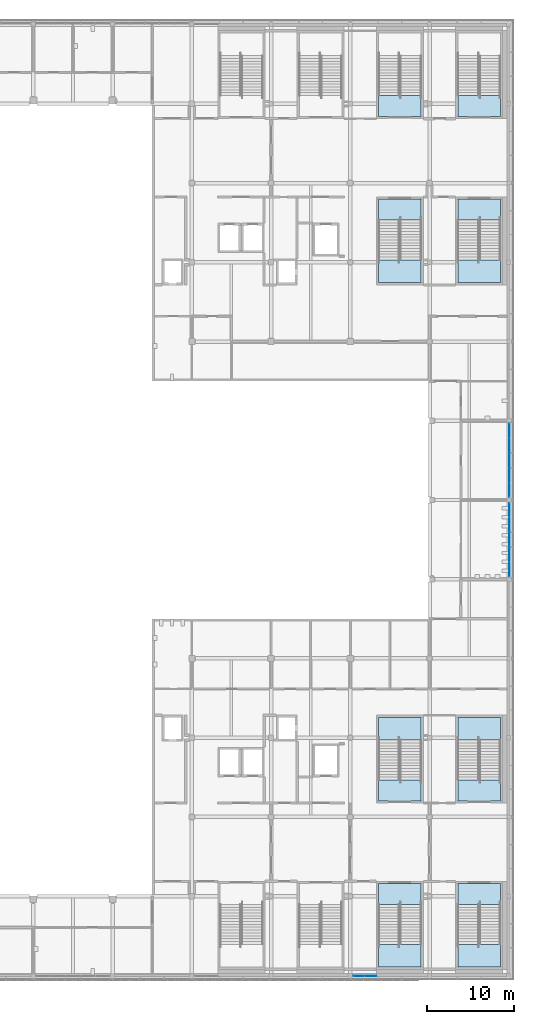
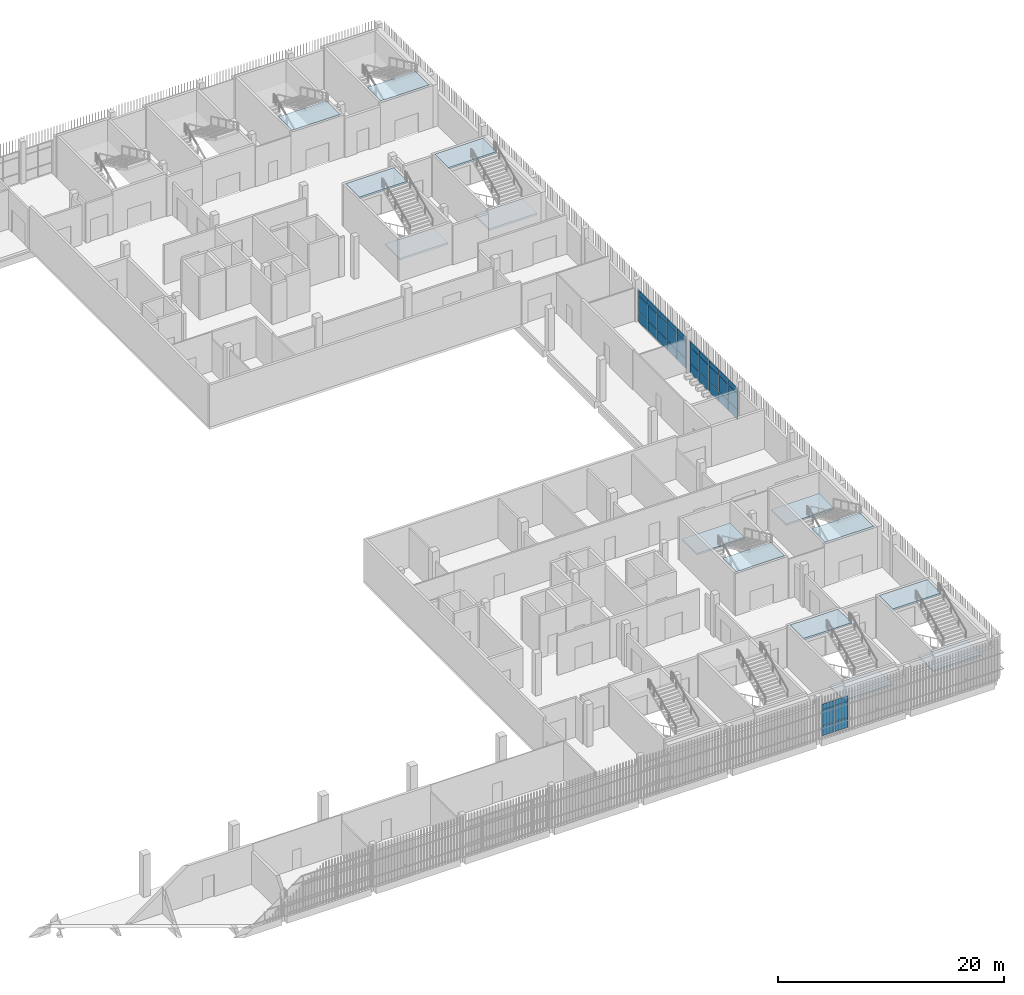
# One storey, part 64 of 124: 36 plates, 14 slabs, 11 elements without a shape of their own.
"""IFC4 building model written with IfcOpenShell, lengths in metres."""

from ifc_helpers import new_model, si_unit, direction, frame, origin, origin_2d, place, context, subcontext, project, spatial, polyline, rectangle, outline, extrude, material, layer, layer_set, type_object, element, aggregate, save


model = new_model("IFC4")

# Units and contexts
model_context = context("Model", 3, precision=1e-05, world=origin(), true_north=direction((0.0, 1.0)))
body_context = subcontext(model_context, "Body", "Model", "MODEL_VIEW")
ifc_project = project(units=[si_unit("LENGTHUNIT", "METRE"), si_unit("AREAUNIT", "SQUARE_METRE"), si_unit("VOLUMEUNIT", "CUBIC_METRE"), si_unit("PLANEANGLEUNIT", "RADIAN"), si_unit("MASSUNIT", "GRAM", prefix="KILO")], contexts=[model_context])

# Site, building, storey
site_placement = place(None, origin())
site = spatial("IfcSite", under=ifc_project, at=site_placement, CompositionType="ELEMENT")
building_placement = place(site_placement, origin())
building = spatial("IfcBuilding", under=site, at=building_placement, Name="Shirokan Park Arena", CompositionType="ELEMENT")
storey_placement = place(building_placement, frame((0.0, 0.0, 20.02001953125)))
storey = spatial("IfcBuildingStorey", under=building, at=storey_placement, Name="L04", CompositionType="ELEMENT", Elevation=20.02001953125)

# Curtain wall, plates
ifc_material_1 = material(Name="Steel and glass curtain wall", Category="steel")
ifc_layer_1 = layer(ifc_material_1, 0.1201171875)
ifc_layer_set_1 = layer_set([ifc_layer_1], Name="Steel and glass curtain wall 120 mm")
curtain_wall_type_1 = type_object("IfcCurtainWallType", Name="Curtain wall corner block side bay 120", PredefinedType="NOTDEFINED", material=ifc_layer_set_1)
curtain_wall_1_placement = place(storey_placement, origin())
curtain_wall_1 = element("IfcCurtainWall", 1, at=curtain_wall_1_placement, inside=storey, type_object=curtain_wall_type_1, Name="Curtain wall south bay 15 L04", PredefinedType="NOTDEFINED")
ifc_material_2 = material(Name="Aluminium sheet", Category="aluminium")
ifc_layer_2 = layer(ifc_material_2, 0.0029296875, Name="Aluminium sheet")
ifc_material_3 = material(Name="Mineral wool insulation")
ifc_layer_3 = layer(ifc_material_3, 0.053955078125, Name="Mineral wool insulation")
ifc_layer_4 = layer(ifc_material_2, 0.0029296875, Name="Aluminium sheet")
ifc_layer_set_2 = layer_set([ifc_layer_2, ifc_layer_3, ifc_layer_4], Name="Aluminium sheet + Mineral wool insulation")
plate_type_1 = type_object("IfcPlateType", Name="Insulated spandrel panel 60", PredefinedType="CURTAIN_PANEL", material=ifc_layer_set_2)
plate_1_placement = place(storey_placement, frame((128.375, -0.090087890625, 2.8701171875), z_axis=(0.0, 0.0, 1.0), x_axis=(1.0, 0.0, 0.0)))
plate_1 = element("IfcPlate", 2, at=plate_1_placement, type_object=plate_type_1, Name="CW3 panel 1.3", PredefinedType="CURTAIN_PANEL", context=body_context, shape_type="SweptSolid", body=[
    extrude(rectangle(XDim=1.25, YDim=0.06005859375, at=origin_2d()), origin(), (0.0, 0.0, 1.0), 0.590087890625),
])
plate_2_placement = place(storey_placement, frame((129.72509765625, -0.090087890625, 2.8701171875), z_axis=(0.0, 0.0, 1.0), x_axis=(1.0, 0.0, 0.0)))
plate_2 = element("IfcPlate", 3, at=plate_2_placement, type_object=plate_type_1, Name="CW3 panel 2.3", PredefinedType="CURTAIN_PANEL", context=body_context, shape_type="SweptSolid", body=[
    extrude(rectangle(XDim=1.35009765625, YDim=0.06005859375, at=origin_2d()), origin(), (0.0, 0.0, 1.0), 0.590087890625),
])

ifc_layer_5 = layer(ifc_material_1, 0.14990234375)
ifc_layer_set_3 = layer_set([ifc_layer_5], Name="Steel and glass curtain wall 150 mm")
curtain_wall_type_2 = type_object("IfcCurtainWallType", Name="Curtain wall exposed bay 150", PredefinedType="NOTDEFINED", material=ifc_layer_set_3)
curtain_wall_2_placement = place(storey_placement, origin())
curtain_wall_2 = element("IfcCurtainWall", 4, at=curtain_wall_2_placement, inside=storey, type_object=curtain_wall_type_2, Name="Curtain wall east bay 6 L04", PredefinedType="NOTDEFINED")
plate_3_placement = place(storey_placement, frame((145.675048828125, 46.6474609375, 2.8701171875), z_axis=(0.0, 0.0, 1.0), x_axis=(0.0, 1.0, 0.0)))
plate_3 = element("IfcPlate", 5, at=plate_3_placement, type_object=plate_type_1, Name="CW1 panel 1.3", PredefinedType="CURTAIN_PANEL", context=body_context, shape_type="SweptSolid", body=[
    extrude(rectangle(XDim=1.594970703125, YDim=0.06005859375, at=origin_2d()), origin(), (0.0, 0.0, 1.0), 0.590087890625),
])
plate_4_placement = place(storey_placement, frame((145.675048828125, 48.330078125, 2.8701171875), z_axis=(0.0, 0.0, 1.0), x_axis=(0.0, 1.0, 0.0)))
plate_4 = element("IfcPlate", 6, at=plate_4_placement, type_object=plate_type_1, Name="CW1 panel 2.3", PredefinedType="CURTAIN_PANEL", context=body_context, shape_type="SweptSolid", body=[
    extrude(rectangle(XDim=1.669921875, YDim=0.06005859375, at=origin_2d()), origin(), (0.0, 0.0, 1.0), 0.590087890625),
])
plate_5_placement = place(storey_placement, frame((145.675048828125, 50.050048828125, 2.8701171875), z_axis=(0.0, 0.0, 1.0), x_axis=(0.0, 1.0, 0.0)))
plate_5 = element("IfcPlate", 7, at=plate_5_placement, type_object=plate_type_1, Name="CW1 panel 3.3", PredefinedType="CURTAIN_PANEL", context=body_context, shape_type="SweptSolid", body=[
    extrude(rectangle(XDim=1.669921875, YDim=0.06005859375, at=origin_2d()), origin(), (0.0, 0.0, 1.0), 0.590087890625),
])
plate_6_placement = place(storey_placement, frame((145.675048828125, 51.77001953125, 2.8701171875), z_axis=(0.0, 0.0, 1.0), x_axis=(0.0, 1.0, 0.0)))
plate_6 = element("IfcPlate", 8, at=plate_6_placement, type_object=plate_type_1, Name="CW1 panel 4.3", PredefinedType="CURTAIN_PANEL", context=body_context, shape_type="SweptSolid", body=[
    extrude(rectangle(XDim=1.669921875, YDim=0.06005859375, at=origin_2d()), origin(), (0.0, 0.0, 1.0), 0.590087890625),
])
plate_7_placement = place(storey_placement, frame((145.675048828125, 53.452392578125, 2.8701171875), z_axis=(0.0, 0.0, 1.0), x_axis=(0.0, 1.0, 0.0)))
plate_7 = element("IfcPlate", 9, at=plate_7_placement, type_object=plate_type_1, Name="CW1 panel 5.3", PredefinedType="CURTAIN_PANEL", context=body_context, shape_type="SweptSolid", body=[
    extrude(rectangle(XDim=1.594970703125, YDim=0.06005859375, at=origin_2d()), origin(), (0.0, 0.0, 1.0), 0.590087890625),
])

curtain_wall_3_placement = place(storey_placement, origin())
curtain_wall_3 = element("IfcCurtainWall", 10, at=curtain_wall_3_placement, inside=storey, type_object=curtain_wall_type_2, Name="Curtain wall east bay 7 L04", PredefinedType="NOTDEFINED")
plate_8_placement = place(storey_placement, frame((145.675048828125, 55.74755859375, 2.8701171875), z_axis=(0.0, 0.0, 1.0), x_axis=(0.0, 1.0, 0.0)))
plate_8 = element("IfcPlate", 11, at=plate_8_placement, type_object=plate_type_1, Name="CW1 panel 1.3", PredefinedType="CURTAIN_PANEL", context=body_context, shape_type="SweptSolid", body=[
    extrude(rectangle(XDim=1.594970703125, YDim=0.06005859375, at=origin_2d()), origin(), (0.0, 0.0, 1.0), 0.590087890625),
])
plate_9_placement = place(storey_placement, frame((145.675048828125, 57.429931640625, 2.8701171875), z_axis=(0.0, 0.0, 1.0), x_axis=(0.0, 1.0, 0.0)))
plate_9 = element("IfcPlate", 12, at=plate_9_placement, type_object=plate_type_1, Name="CW1 panel 2.3", PredefinedType="CURTAIN_PANEL", context=body_context, shape_type="SweptSolid", body=[
    extrude(rectangle(XDim=1.669921875, YDim=0.06005859375, at=origin_2d()), origin(), (0.0, 0.0, 1.0), 0.590087890625),
])
plate_10_placement = place(storey_placement, frame((145.675048828125, 59.14990234375, 2.8701171875), z_axis=(0.0, 0.0, 1.0), x_axis=(0.0, 1.0, 0.0)))
plate_10 = element("IfcPlate", 13, at=plate_10_placement, type_object=plate_type_1, Name="CW1 panel 3.3", PredefinedType="CURTAIN_PANEL", context=body_context, shape_type="SweptSolid", body=[
    extrude(rectangle(XDim=1.669921875, YDim=0.06005859375, at=origin_2d()), origin(), (0.0, 0.0, 1.0), 0.590087890625),
])
plate_11_placement = place(storey_placement, frame((145.675048828125, 60.8701171875, 2.8701171875), z_axis=(0.0, 0.0, 1.0), x_axis=(0.0, 1.0, 0.0)))
plate_11 = element("IfcPlate", 14, at=plate_11_placement, type_object=plate_type_1, Name="CW1 panel 4.3", PredefinedType="CURTAIN_PANEL", context=body_context, shape_type="SweptSolid", body=[
    extrude(rectangle(XDim=1.669921875, YDim=0.06005859375, at=origin_2d()), origin(), (0.0, 0.0, 1.0), 0.590087890625),
])
plate_12_placement = place(storey_placement, frame((145.675048828125, 62.552490234375, 2.8701171875), z_axis=(0.0, 0.0, 1.0), x_axis=(0.0, 1.0, 0.0)))
plate_12 = element("IfcPlate", 15, at=plate_12_placement, type_object=plate_type_1, Name="CW1 panel 5.3", PredefinedType="CURTAIN_PANEL", context=body_context, shape_type="SweptSolid", body=[
    extrude(rectangle(XDim=1.594970703125, YDim=0.06005859375, at=origin_2d()), origin(), (0.0, 0.0, 1.0), 0.590087890625),
])

# Plate
ifc_material_4 = material(Name="Toughened glass", Category="glass")
ifc_layer_6 = layer(ifc_material_4, 0.012939453125, Name="Toughened glass")
ifc_material_5 = material(Name="Interlayer film")
ifc_layer_7 = layer(ifc_material_5, 0.001953125, Name="Interlayer film")
ifc_layer_8 = layer(ifc_material_4, 0.012939453125, Name="Toughened glass")
ifc_layer_set_4 = layer_set([ifc_layer_6, ifc_layer_7, ifc_layer_8], Name="Toughened glass + Interlayer film")
plate_type_2 = type_object("IfcPlateType", Name="Laminated glass panel 28", PredefinedType="CURTAIN_PANEL", material=ifc_layer_set_4)
plate_13_placement = place(storey_placement, frame((128.375, -0.090087890625, 1.1201171875), z_axis=(0.0, 0.0, 1.0), x_axis=(1.0, 0.0, 0.0)))
plate_13 = element("IfcPlate", 16, at=plate_13_placement, type_object=plate_type_2, Name="CW3 panel 1.2", PredefinedType="CURTAIN_PANEL", context=body_context, shape_type="SweptSolid", body=[
    extrude(rectangle(XDim=1.25, YDim=0.028076171875, at=origin_2d()), origin(), (0.0, 0.0, 1.0), 1.7099609375),
])

plate_14_placement = place(storey_placement, frame((129.72509765625, -0.090087890625, 1.1201171875), z_axis=(0.0, 0.0, 1.0), x_axis=(1.0, 0.0, 0.0)))
plate_14 = element("IfcPlate", 17, at=plate_14_placement, type_object=plate_type_2, Name="CW3 panel 2.2", PredefinedType="CURTAIN_PANEL", context=body_context, shape_type="SweptSolid", body=[
    extrude(rectangle(XDim=1.35009765625, YDim=0.028076171875, at=origin_2d()), origin(), (0.0, 0.0, 1.0), 1.7099609375),
])

plate_15_placement = place(storey_placement, frame((145.675048828125, 46.6474609375, 1.1201171875), z_axis=(0.0, 0.0, 1.0), x_axis=(0.0, 1.0, 0.0)))
plate_15 = element("IfcPlate", 18, at=plate_15_placement, type_object=plate_type_2, Name="CW1 panel 1.2", PredefinedType="CURTAIN_PANEL", context=body_context, shape_type="SweptSolid", body=[
    extrude(rectangle(XDim=1.594970703125, YDim=0.028076171875, at=origin_2d()), origin(), (0.0, 0.0, 1.0), 1.7099609375),
])

plate_16_placement = place(storey_placement, frame((145.675048828125, 48.330078125, 1.1201171875), z_axis=(0.0, 0.0, 1.0), x_axis=(0.0, 1.0, 0.0)))
plate_16 = element("IfcPlate", 19, at=plate_16_placement, type_object=plate_type_2, Name="CW1 panel 2.2", PredefinedType="CURTAIN_PANEL", context=body_context, shape_type="SweptSolid", body=[
    extrude(rectangle(XDim=1.669921875, YDim=0.028076171875, at=origin_2d()), origin(), (0.0, 0.0, 1.0), 1.7099609375),
])

plate_17_placement = place(storey_placement, frame((145.675048828125, 50.050048828125, 1.1201171875), z_axis=(0.0, 0.0, 1.0), x_axis=(0.0, 1.0, 0.0)))
plate_17 = element("IfcPlate", 20, at=plate_17_placement, type_object=plate_type_2, Name="CW1 panel 3.2", PredefinedType="CURTAIN_PANEL", context=body_context, shape_type="SweptSolid", body=[
    extrude(rectangle(XDim=1.669921875, YDim=0.028076171875, at=origin_2d()), origin(), (0.0, 0.0, 1.0), 1.7099609375),
])

plate_18_placement = place(storey_placement, frame((145.675048828125, 51.77001953125, 1.1201171875), z_axis=(0.0, 0.0, 1.0), x_axis=(0.0, 1.0, 0.0)))
plate_18 = element("IfcPlate", 21, at=plate_18_placement, type_object=plate_type_2, Name="CW1 panel 4.2", PredefinedType="CURTAIN_PANEL", context=body_context, shape_type="SweptSolid", body=[
    extrude(rectangle(XDim=1.669921875, YDim=0.028076171875, at=origin_2d()), origin(), (0.0, 0.0, 1.0), 1.7099609375),
])

plate_19_placement = place(storey_placement, frame((145.675048828125, 53.452392578125, 1.1201171875), z_axis=(0.0, 0.0, 1.0), x_axis=(0.0, 1.0, 0.0)))
plate_19 = element("IfcPlate", 22, at=plate_19_placement, type_object=plate_type_2, Name="CW1 panel 5.2", PredefinedType="CURTAIN_PANEL", context=body_context, shape_type="SweptSolid", body=[
    extrude(rectangle(XDim=1.594970703125, YDim=0.028076171875, at=origin_2d()), origin(), (0.0, 0.0, 1.0), 1.7099609375),
])

plate_20_placement = place(storey_placement, frame((145.675048828125, 55.74755859375, 1.1201171875), z_axis=(0.0, 0.0, 1.0), x_axis=(0.0, 1.0, 0.0)))
plate_20 = element("IfcPlate", 23, at=plate_20_placement, type_object=plate_type_2, Name="CW1 panel 1.2", PredefinedType="CURTAIN_PANEL", context=body_context, shape_type="SweptSolid", body=[
    extrude(rectangle(XDim=1.594970703125, YDim=0.028076171875, at=origin_2d()), origin(), (0.0, 0.0, 1.0), 1.7099609375),
])

plate_21_placement = place(storey_placement, frame((145.675048828125, 57.429931640625, 1.1201171875), z_axis=(0.0, 0.0, 1.0), x_axis=(0.0, 1.0, 0.0)))
plate_21 = element("IfcPlate", 24, at=plate_21_placement, type_object=plate_type_2, Name="CW1 panel 2.2", PredefinedType="CURTAIN_PANEL", context=body_context, shape_type="SweptSolid", body=[
    extrude(rectangle(XDim=1.669921875, YDim=0.028076171875, at=origin_2d()), origin(), (0.0, 0.0, 1.0), 1.7099609375),
])

plate_22_placement = place(storey_placement, frame((145.675048828125, 59.14990234375, 1.1201171875), z_axis=(0.0, 0.0, 1.0), x_axis=(0.0, 1.0, 0.0)))
plate_22 = element("IfcPlate", 25, at=plate_22_placement, type_object=plate_type_2, Name="CW1 panel 3.2", PredefinedType="CURTAIN_PANEL", context=body_context, shape_type="SweptSolid", body=[
    extrude(rectangle(XDim=1.669921875, YDim=0.028076171875, at=origin_2d()), origin(), (0.0, 0.0, 1.0), 1.7099609375),
])

plate_23_placement = place(storey_placement, frame((145.675048828125, 60.8701171875, 1.1201171875), z_axis=(0.0, 0.0, 1.0), x_axis=(0.0, 1.0, 0.0)))
plate_23 = element("IfcPlate", 26, at=plate_23_placement, type_object=plate_type_2, Name="CW1 panel 4.2", PredefinedType="CURTAIN_PANEL", context=body_context, shape_type="SweptSolid", body=[
    extrude(rectangle(XDim=1.669921875, YDim=0.028076171875, at=origin_2d()), origin(), (0.0, 0.0, 1.0), 1.7099609375),
])

plate_24_placement = place(storey_placement, frame((145.675048828125, 62.552490234375, 1.1201171875), z_axis=(0.0, 0.0, 1.0), x_axis=(0.0, 1.0, 0.0)))
plate_24 = element("IfcPlate", 27, at=plate_24_placement, type_object=plate_type_2, Name="CW1 panel 5.2", PredefinedType="CURTAIN_PANEL", context=body_context, shape_type="SweptSolid", body=[
    extrude(rectangle(XDim=1.594970703125, YDim=0.028076171875, at=origin_2d()), origin(), (0.0, 0.0, 1.0), 1.7099609375),
])

ifc_layer_9 = layer(ifc_material_4, 0.01708984375, Name="Toughened glass")
ifc_layer_10 = layer(ifc_material_5, 0.001953125, Name="Interlayer film")
ifc_layer_11 = layer(ifc_material_4, 0.01708984375, Name="Toughened glass")
ifc_layer_set_5 = layer_set([ifc_layer_9, ifc_layer_10, ifc_layer_11], Name="Toughened glass + Interlayer film")
plate_type_3 = type_object("IfcPlateType", Name="Laminated safety glass panel 36", PredefinedType="CURTAIN_PANEL", material=ifc_layer_set_5)
plate_25_placement = place(storey_placement, frame((128.375, -0.090087890625, 0.0400390625), z_axis=(0.0, 0.0, 1.0), x_axis=(1.0, 0.0, 0.0)))
plate_25 = element("IfcPlate", 28, at=plate_25_placement, type_object=plate_type_3, Name="CW3 panel 1.1", PredefinedType="CURTAIN_PANEL", context=body_context, shape_type="SweptSolid", body=[
    extrude(rectangle(XDim=1.25, YDim=0.035888671875, at=origin_2d()), origin(), (0.0, 0.0, 1.0), 1.0400390625),
])

plate_26_placement = place(storey_placement, frame((129.72509765625, -0.090087890625, 0.0400390625), z_axis=(0.0, 0.0, 1.0), x_axis=(1.0, 0.0, 0.0)))
plate_26 = element("IfcPlate", 29, at=plate_26_placement, type_object=plate_type_3, Name="CW3 panel 2.1", PredefinedType="CURTAIN_PANEL", context=body_context, shape_type="SweptSolid", body=[
    extrude(rectangle(XDim=1.35009765625, YDim=0.035888671875, at=origin_2d()), origin(), (0.0, 0.0, 1.0), 1.0400390625),
])

aggregate(curtain_wall_1, [plate_25, plate_13, plate_1, plate_26, plate_14, plate_2])

plate_27_placement = place(storey_placement, frame((145.675048828125, 46.6474609375, 0.0400390625), z_axis=(0.0, 0.0, 1.0), x_axis=(0.0, 1.0, 0.0)))
plate_27 = element("IfcPlate", 30, at=plate_27_placement, type_object=plate_type_3, Name="CW1 panel 1.1", PredefinedType="CURTAIN_PANEL", context=body_context, shape_type="SweptSolid", body=[
    extrude(rectangle(XDim=1.594970703125, YDim=0.035888671875, at=origin_2d()), origin(), (0.0, 0.0, 1.0), 1.0400390625),
])

plate_28_placement = place(storey_placement, frame((145.675048828125, 48.330078125, 0.0400390625), z_axis=(0.0, 0.0, 1.0), x_axis=(0.0, 1.0, 0.0)))
plate_28 = element("IfcPlate", 31, at=plate_28_placement, type_object=plate_type_3, Name="CW1 panel 2.1", PredefinedType="CURTAIN_PANEL", context=body_context, shape_type="SweptSolid", body=[
    extrude(rectangle(XDim=1.669921875, YDim=0.035888671875, at=origin_2d()), origin(), (0.0, 0.0, 1.0), 1.0400390625),
])

plate_29_placement = place(storey_placement, frame((145.675048828125, 50.050048828125, 0.0400390625), z_axis=(0.0, 0.0, 1.0), x_axis=(0.0, 1.0, 0.0)))
plate_29 = element("IfcPlate", 32, at=plate_29_placement, type_object=plate_type_3, Name="CW1 panel 3.1", PredefinedType="CURTAIN_PANEL", context=body_context, shape_type="SweptSolid", body=[
    extrude(rectangle(XDim=1.669921875, YDim=0.035888671875, at=origin_2d()), origin(), (0.0, 0.0, 1.0), 1.0400390625),
])

plate_30_placement = place(storey_placement, frame((145.675048828125, 51.77001953125, 0.0400390625), z_axis=(0.0, 0.0, 1.0), x_axis=(0.0, 1.0, 0.0)))
plate_30 = element("IfcPlate", 33, at=plate_30_placement, type_object=plate_type_3, Name="CW1 panel 4.1", PredefinedType="CURTAIN_PANEL", context=body_context, shape_type="SweptSolid", body=[
    extrude(rectangle(XDim=1.669921875, YDim=0.035888671875, at=origin_2d()), origin(), (0.0, 0.0, 1.0), 1.0400390625),
])

plate_31_placement = place(storey_placement, frame((145.675048828125, 53.452392578125, 0.0400390625), z_axis=(0.0, 0.0, 1.0), x_axis=(0.0, 1.0, 0.0)))
plate_31 = element("IfcPlate", 34, at=plate_31_placement, type_object=plate_type_3, Name="CW1 panel 5.1", PredefinedType="CURTAIN_PANEL", context=body_context, shape_type="SweptSolid", body=[
    extrude(rectangle(XDim=1.594970703125, YDim=0.035888671875, at=origin_2d()), origin(), (0.0, 0.0, 1.0), 1.0400390625),
])

aggregate(curtain_wall_2, [plate_27, plate_15, plate_3, plate_28, plate_16, plate_4, plate_29, plate_17, plate_5, plate_30, plate_18, plate_6, plate_31, plate_19, plate_7])

plate_32_placement = place(storey_placement, frame((145.675048828125, 55.74755859375, 0.0400390625), z_axis=(0.0, 0.0, 1.0), x_axis=(0.0, 1.0, 0.0)))
plate_32 = element("IfcPlate", 35, at=plate_32_placement, type_object=plate_type_3, Name="CW1 panel 1.1", PredefinedType="CURTAIN_PANEL", context=body_context, shape_type="SweptSolid", body=[
    extrude(rectangle(XDim=1.594970703125, YDim=0.035888671875, at=origin_2d()), origin(), (0.0, 0.0, 1.0), 1.0400390625),
])

plate_33_placement = place(storey_placement, frame((145.675048828125, 57.429931640625, 0.0400390625), z_axis=(0.0, 0.0, 1.0), x_axis=(0.0, 1.0, 0.0)))
plate_33 = element("IfcPlate", 36, at=plate_33_placement, type_object=plate_type_3, Name="CW1 panel 2.1", PredefinedType="CURTAIN_PANEL", context=body_context, shape_type="SweptSolid", body=[
    extrude(rectangle(XDim=1.669921875, YDim=0.035888671875, at=origin_2d()), origin(), (0.0, 0.0, 1.0), 1.0400390625),
])

plate_34_placement = place(storey_placement, frame((145.675048828125, 59.14990234375, 0.0400390625), z_axis=(0.0, 0.0, 1.0), x_axis=(0.0, 1.0, 0.0)))
plate_34 = element("IfcPlate", 37, at=plate_34_placement, type_object=plate_type_3, Name="CW1 panel 3.1", PredefinedType="CURTAIN_PANEL", context=body_context, shape_type="SweptSolid", body=[
    extrude(rectangle(XDim=1.669921875, YDim=0.035888671875, at=origin_2d()), origin(), (0.0, 0.0, 1.0), 1.0400390625),
])

plate_35_placement = place(storey_placement, frame((145.675048828125, 60.8701171875, 0.0400390625), z_axis=(0.0, 0.0, 1.0), x_axis=(0.0, 1.0, 0.0)))
plate_35 = element("IfcPlate", 38, at=plate_35_placement, type_object=plate_type_3, Name="CW1 panel 4.1", PredefinedType="CURTAIN_PANEL", context=body_context, shape_type="SweptSolid", body=[
    extrude(rectangle(XDim=1.669921875, YDim=0.035888671875, at=origin_2d()), origin(), (0.0, 0.0, 1.0), 1.0400390625),
])

plate_36_placement = place(storey_placement, frame((145.675048828125, 62.552490234375, 0.0400390625), z_axis=(0.0, 0.0, 1.0), x_axis=(0.0, 1.0, 0.0)))
plate_36 = element("IfcPlate", 39, at=plate_36_placement, type_object=plate_type_3, Name="CW1 panel 5.1", PredefinedType="CURTAIN_PANEL", context=body_context, shape_type="SweptSolid", body=[
    extrude(rectangle(XDim=1.594970703125, YDim=0.035888671875, at=origin_2d()), origin(), (0.0, 0.0, 1.0), 1.0400390625),
])

aggregate(curtain_wall_3, [plate_32, plate_20, plate_8, plate_33, plate_21, plate_9, plate_34, plate_22, plate_10, plate_35, plate_23, plate_11, plate_36, plate_24, plate_12])

# Stair, slabs
ifc_material_6 = material(Name="Concrete C30 precast", Category="concrete")
stair_type = type_object("IfcStairType", Name="Stair 30 risers 152 x 327 2400 wide", PredefinedType="TWO_STRAIGHT_RUN_STAIR", material=ifc_material_6)
stair_1_placement = place(storey_placement, origin())
stair_1 = element("IfcStair", 40, at=stair_1_placement, inside=storey, type_object=stair_type, Name="Exit Stair 2.A L04 to L05", PredefinedType="TWO_STRAIGHT_RUN_STAIR")
ifc_layer_12 = layer(ifc_material_6, 0.199951171875)
ifc_layer_set_6 = layer_set([ifc_layer_12], Name="Concrete C30 precast 200 mm")
slab_type = type_object("IfcSlabType", Name="Stair landing 200", PredefinedType="LANDING", material=ifc_layer_set_6)
slab_1_placement = place(storey_placement, frame((0.0, 0.0, 2.074951171875)))
slab_1 = element("IfcSlab", 41, at=slab_1_placement, type_object=slab_type, Name="ST04.5 landing 1", PredefinedType="LANDING", context=body_context, shape_type="SweptSolid", body=[
    extrude(outline(polyline([(139.75, 0.949951171875), (144.64990234375, 0.949951171875), (144.64990234375, 3.576171875), (139.75, 3.576171875), (139.75, 0.949951171875)])), origin(), (0.0, 0.0, 1.0), 0.199951171875),
])
slab_2_placement = place(storey_placement, frame((0.0, 0.0, 4.35009765625)))
slab_2 = element("IfcSlab", 42, at=slab_2_placement, type_object=slab_type, Name="ST04.5 landing 2", PredefinedType="LANDING", context=body_context, shape_type="SweptSolid", body=[
    extrude(outline(polyline([(139.75, 8.14990234375), (144.64990234375, 8.14990234375), (144.64990234375, 10.550048828125), (139.75, 10.550048828125), (139.75, 8.14990234375)])), origin(), (0.0, 0.0, 1.0), 0.199951171875),
])
aggregate(stair_1, [slab_1, slab_2])

stair_2_placement = place(storey_placement, origin())
stair_2 = element("IfcStair", 43, at=stair_2_placement, inside=storey, type_object=stair_type, Name="Exit Stair 2.B L04 to L05", PredefinedType="TWO_STRAIGHT_RUN_STAIR")
slab_3_placement = place(storey_placement, frame((0.0, 0.0, 2.074951171875)))
slab_3 = element("IfcSlab", 44, at=slab_3_placement, type_object=slab_type, Name="ST05.5 landing 1", PredefinedType="LANDING", context=body_context, shape_type="SweptSolid", body=[
    extrude(outline(polyline([(130.64990234375, 0.949951171875), (135.550048828125, 0.949951171875), (135.550048828125, 3.576171875), (130.64990234375, 3.576171875), (130.64990234375, 0.949951171875)])), origin(), (0.0, 0.0, 1.0), 0.199951171875),
])
slab_4_placement = place(storey_placement, frame((0.0, 0.0, 4.35009765625)))
slab_4 = element("IfcSlab", 45, at=slab_4_placement, type_object=slab_type, Name="ST05.5 landing 2", PredefinedType="LANDING", context=body_context, shape_type="SweptSolid", body=[
    extrude(outline(polyline([(130.64990234375, 8.14990234375), (135.550048828125, 8.14990234375), (135.550048828125, 10.550048828125), (130.64990234375, 10.550048828125), (130.64990234375, 8.14990234375)])), origin(), (0.0, 0.0, 1.0), 0.199951171875),
])
aggregate(stair_2, [slab_3, slab_4])

stair_3_placement = place(storey_placement, origin())
stair_3 = element("IfcStair", 46, at=stair_3_placement, inside=storey, type_object=stair_type, Name="Exit Stair 2.E L04 to L05", PredefinedType="TWO_STRAIGHT_RUN_STAIR")
slab_5_placement = place(storey_placement, frame((0.0, 0.0, 2.074951171875)))
slab_5 = element("IfcSlab", 47, at=slab_5_placement, type_object=slab_type, Name="ST08.5 landing 1", PredefinedType="LANDING", context=body_context, shape_type="SweptSolid", body=[
    extrude(outline(polyline([(139.75, 27.023681640625), (144.64990234375, 27.023681640625), (144.64990234375, 29.64990234375), (139.75, 29.64990234375), (139.75, 27.023681640625)])), origin(), (0.0, 0.0, 1.0), 0.199951171875),
])
slab_6_placement = place(storey_placement, frame((0.0, 0.0, 4.35009765625)))
slab_6 = element("IfcSlab", 48, at=slab_6_placement, type_object=slab_type, Name="ST08.5 landing 2", PredefinedType="LANDING", context=body_context, shape_type="SweptSolid", body=[
    extrude(outline(polyline([(139.75, 20.050048828125), (144.64990234375, 20.050048828125), (144.64990234375, 22.449951171875), (139.75, 22.449951171875), (139.75, 20.050048828125)])), origin(), (0.0, 0.0, 1.0), 0.199951171875),
])
aggregate(stair_3, [slab_5, slab_6])

stair_4_placement = place(storey_placement, origin())
stair_4 = element("IfcStair", 49, at=stair_4_placement, inside=storey, type_object=stair_type, Name="Exit Stair 2.F L04 to L05", PredefinedType="TWO_STRAIGHT_RUN_STAIR")
slab_7_placement = place(storey_placement, frame((0.0, 0.0, 2.074951171875)))
slab_7 = element("IfcSlab", 50, at=slab_7_placement, type_object=slab_type, Name="ST09.5 landing 1", PredefinedType="LANDING", context=body_context, shape_type="SweptSolid", body=[
    extrude(outline(polyline([(130.64990234375, 27.023681640625), (135.550048828125, 27.023681640625), (135.550048828125, 29.64990234375), (130.64990234375, 29.64990234375), (130.64990234375, 27.023681640625)])), origin(), (0.0, 0.0, 1.0), 0.199951171875),
])
slab_8_placement = place(storey_placement, frame((0.0, 0.0, 4.35009765625)))
slab_8 = element("IfcSlab", 51, at=slab_8_placement, type_object=slab_type, Name="ST09.5 landing 2", PredefinedType="LANDING", context=body_context, shape_type="SweptSolid", body=[
    extrude(outline(polyline([(130.64990234375, 20.050048828125), (135.550048828125, 20.050048828125), (135.550048828125, 22.449951171875), (130.64990234375, 22.449951171875), (130.64990234375, 20.050048828125)])), origin(), (0.0, 0.0, 1.0), 0.199951171875),
])
aggregate(stair_4, [slab_7, slab_8])

# Stair, slab
stair_5_placement = place(storey_placement, origin())
stair_5 = element("IfcStair", 52, at=stair_5_placement, inside=storey, type_object=stair_type, Name="Exit Stair 3.A L04 to L05", PredefinedType="TWO_STRAIGHT_RUN_STAIR")
slab_9_placement = place(storey_placement, frame((0.0, 0.0, 4.35009765625)))
slab_9 = element("IfcSlab", 53, at=slab_9_placement, type_object=slab_type, Name="ST16.5 landing 2", PredefinedType="LANDING", context=body_context, shape_type="SweptSolid", body=[
    extrude(outline(polyline([(139.75, 98.64990234375), (144.64990234375, 98.64990234375), (144.64990234375, 101.050048828125), (139.75, 101.050048828125), (139.75, 98.64990234375)])), origin(), (0.0, 0.0, 1.0), 0.199951171875),
])
aggregate(stair_5, [slab_9])

stair_6_placement = place(storey_placement, origin())
stair_6 = element("IfcStair", 54, at=stair_6_placement, inside=storey, type_object=stair_type, Name="Exit Stair 3.B L04 to L05", PredefinedType="TWO_STRAIGHT_RUN_STAIR")
slab_10_placement = place(storey_placement, frame((0.0, 0.0, 4.35009765625)))
slab_10 = element("IfcSlab", 55, at=slab_10_placement, type_object=slab_type, Name="ST17.5 landing 2", PredefinedType="LANDING", context=body_context, shape_type="SweptSolid", body=[
    extrude(outline(polyline([(130.64990234375, 98.64990234375), (135.550048828125, 98.64990234375), (135.550048828125, 101.050048828125), (130.64990234375, 101.050048828125), (130.64990234375, 98.64990234375)])), origin(), (0.0, 0.0, 1.0), 0.199951171875),
])
aggregate(stair_6, [slab_10])

# Stair, slabs
stair_7_placement = place(storey_placement, origin())
stair_7 = element("IfcStair", 56, at=stair_7_placement, inside=storey, type_object=stair_type, Name="Exit Stair 3.E L04 to L05", PredefinedType="TWO_STRAIGHT_RUN_STAIR")
slab_11_placement = place(storey_placement, frame((0.0, 0.0, 2.074951171875)))
slab_11 = element("IfcSlab", 57, at=slab_11_placement, type_object=slab_type, Name="ST20.5 landing 1", PredefinedType="LANDING", context=body_context, shape_type="SweptSolid", body=[
    extrude(outline(polyline([(139.75, 79.550048828125), (144.64990234375, 79.550048828125), (144.64990234375, 82.17626953125), (139.75, 82.17626953125), (139.75, 79.550048828125)])), origin(), (0.0, 0.0, 1.0), 0.199951171875),
])
slab_12_placement = place(storey_placement, frame((0.0, 0.0, 4.35009765625)))
slab_12 = element("IfcSlab", 58, at=slab_12_placement, type_object=slab_type, Name="ST20.5 landing 2", PredefinedType="LANDING", context=body_context, shape_type="SweptSolid", body=[
    extrude(outline(polyline([(139.75, 86.75), (144.64990234375, 86.75), (144.64990234375, 89.14990234375), (139.75, 89.14990234375), (139.75, 86.75)])), origin(), (0.0, 0.0, 1.0), 0.199951171875),
])
aggregate(stair_7, [slab_11, slab_12])

stair_8_placement = place(storey_placement, origin())
stair_8 = element("IfcStair", 59, at=stair_8_placement, inside=storey, type_object=stair_type, Name="Exit Stair 3.F L04 to L05", PredefinedType="TWO_STRAIGHT_RUN_STAIR")
slab_13_placement = place(storey_placement, frame((0.0, 0.0, 2.074951171875)))
slab_13 = element("IfcSlab", 60, at=slab_13_placement, type_object=slab_type, Name="ST21.5 landing 1", PredefinedType="LANDING", context=body_context, shape_type="SweptSolid", body=[
    extrude(outline(polyline([(130.64990234375, 79.550048828125), (135.550048828125, 79.550048828125), (135.550048828125, 82.17626953125), (130.64990234375, 82.17626953125), (130.64990234375, 79.550048828125)])), origin(), (0.0, 0.0, 1.0), 0.199951171875),
])
slab_14_placement = place(storey_placement, frame((0.0, 0.0, 4.35009765625)))
slab_14 = element("IfcSlab", 61, at=slab_14_placement, type_object=slab_type, Name="ST21.5 landing 2", PredefinedType="LANDING", context=body_context, shape_type="SweptSolid", body=[
    extrude(outline(polyline([(130.64990234375, 86.75), (135.550048828125, 86.75), (135.550048828125, 89.14990234375), (130.64990234375, 89.14990234375), (130.64990234375, 86.75)])), origin(), (0.0, 0.0, 1.0), 0.199951171875),
])
aggregate(stair_8, [slab_13, slab_14])

save(model, "model.ifc")
